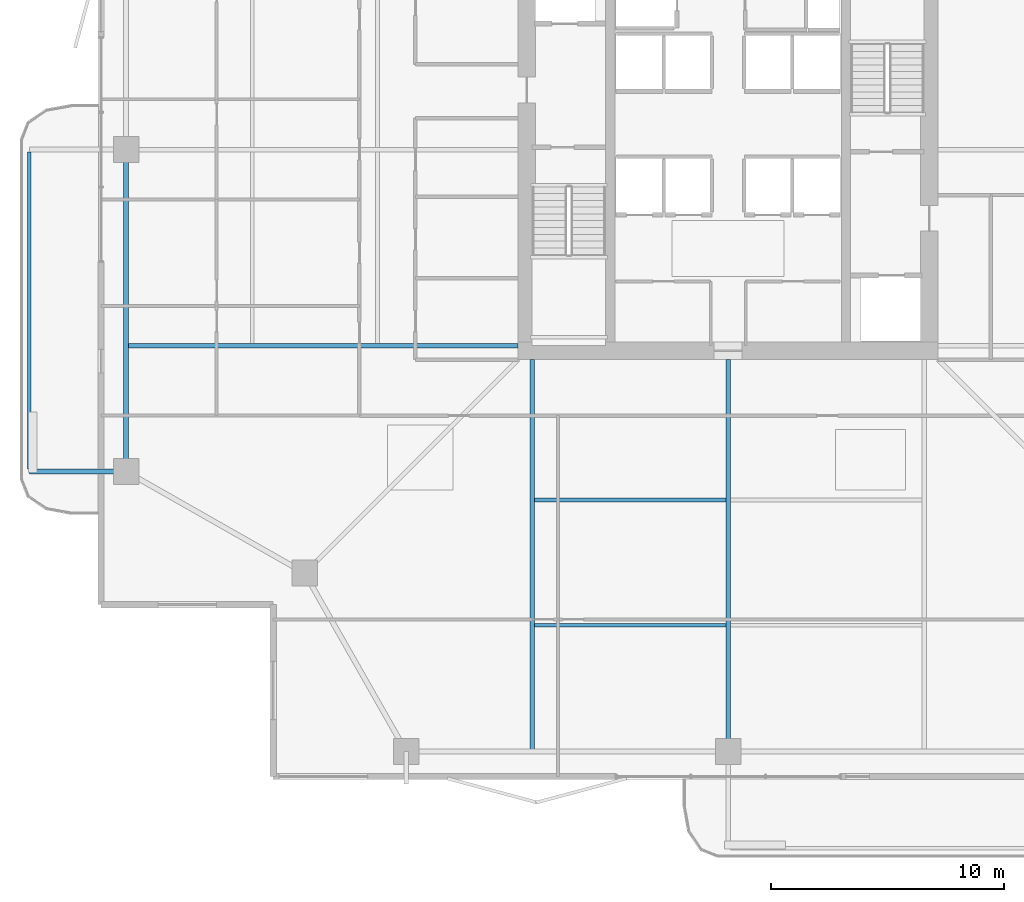
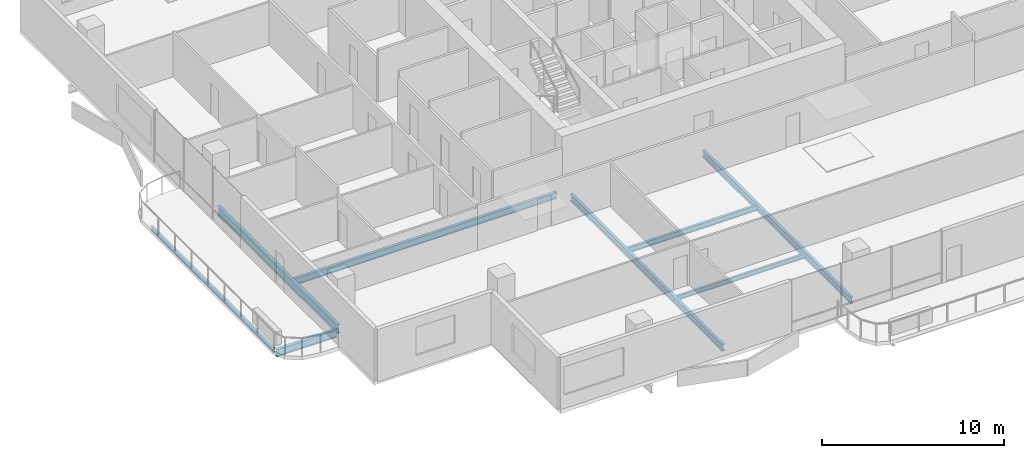
# One storey, part 3 of 24: 8 beams.
"""IFC4 building model written with IfcOpenShell, lengths in metres."""

from ifc_helpers import new_model, si_unit, direction, frame, origin, origin_2d, place, context, subcontext, project, spatial, i_section, extrude, material, material_profile, profile_set, type_object, element, save


model = new_model("IFC4")

# Units and contexts
model_context = context("Model", 3, precision=1e-05, world=origin(), true_north=direction((0.0, 1.0)))
body_context = subcontext(model_context, "Body", "Model", "MODEL_VIEW")
ifc_project = project(units=[si_unit("LENGTHUNIT", "METRE"), si_unit("AREAUNIT", "SQUARE_METRE"), si_unit("VOLUMEUNIT", "CUBIC_METRE"), si_unit("PLANEANGLEUNIT", "RADIAN"), si_unit("MASSUNIT", "GRAM", prefix="KILO")], contexts=[model_context])

# Site, building, storey
site_placement = place(None, origin())
site = spatial("IfcSite", under=ifc_project, at=site_placement, CompositionType="ELEMENT")
building_placement = place(site_placement, origin())
building = spatial("IfcBuilding", under=site, at=building_placement, Name="Belovzor Exchange Tower", CompositionType="ELEMENT")
storey_placement = place(building_placement, frame((0.0, 0.0, 214.949951171875)))
storey = spatial("IfcBuildingStorey", under=building, at=storey_placement, Name="L53", CompositionType="ELEMENT", Elevation=214.949951171875)

# Beams
ifc_material_1 = material(Name="Steel S355", Category="steel")
ifc_material_profile_1 = material_profile(ifc_material_1, i_section(OverallWidth=0.199951171875, OverallDepth=0.5, WebThickness=0.01025390625, FlangeThickness=0.01611328125, at=origin_2d()))
ifc_profile_set_1 = profile_set([ifc_material_profile_1], Name="Steel S355")
beam_type_1 = type_object("IfcBeamType", Name="Planted Balcony Cantilever Beam IPE 500", PredefinedType="BEAM", material=ifc_profile_set_1)
beam_1_placement = place(storey_placement, frame((2.697021484375, 15.0, -0.5), z_axis=(-1.0, 0.0, 0.0), x_axis=(0.0, -1.0, 0.0)))
element("IfcBeam", 1, at=beam_1_placement, inside=storey, type_object=beam_type_1, Name="BC-500 Planted Balcony Cantilever Beam IPE 500", PredefinedType="BEAM", context=body_context, shape_type="SweptSolid", body=[
    extrude(i_section(OverallWidth=0.199951171875, OverallDepth=0.5, WebThickness=0.01025390625, FlangeThickness=0.01611328125, at=origin_2d()), origin(), (0.0, 0.0, 1.0), 3.85009765625),
])
ifc_material_2 = material(Name="Steel S355", Category="steel")
ifc_material_profile_2 = material_profile(ifc_material_2, i_section(OverallWidth=0.14990234375, OverallDepth=0.300048828125, WebThickness=0.007080078125, FlangeThickness=0.0107421875, at=origin_2d()))
ifc_profile_set_2 = profile_set([ifc_material_profile_2], Name="Steel S355")
beam_type_2 = type_object("IfcBeamType", Name="Planted Balcony Fascia Edge Beam IPE 300", PredefinedType="BEAM", material=ifc_profile_set_2)
beam_2_placement = place(storey_placement, frame((-1.153076171875, 28.699951171875, -0.39990234375), z_axis=(0.0, -1.0, 0.0), x_axis=(1.0, 0.0, 0.0)))
element("IfcBeam", 2, at=beam_2_placement, inside=storey, type_object=beam_type_2, Name="BC-300 Planted Balcony Fascia Edge Beam IPE 300", PredefinedType="BEAM", context=body_context, shape_type="SweptSolid", body=[
    extrude(i_section(OverallWidth=0.14990234375, OverallDepth=0.300048828125, WebThickness=0.007080078125, FlangeThickness=0.0107421875, at=origin_2d()), origin(), (0.0, 0.0, 1.0), 13.599853515625),
])
ifc_material_3 = material(Name="Steel S355", Category="steel")
ifc_material_profile_3 = material_profile(ifc_material_3, i_section(OverallWidth=0.169921875, OverallDepth=0.360107421875, WebThickness=0.008056640625, FlangeThickness=0.0126953125, at=origin_2d()))
ifc_profile_set_3 = profile_set([ifc_material_profile_3], Name="Steel S355")
beam_type_3 = type_object("IfcBeamType", Name="Secondary Infill Floor Joist IPE 360", PredefinedType="BEAM", material=ifc_profile_set_3)
beam_3_placement = place(storey_placement, frame((20.4951171875, 13.77197265625, -0.429931640625), z_axis=(1.0, 0.0, 0.0), x_axis=(0.0, 1.0, 0.0)))
element("IfcBeam", 3, at=beam_3_placement, inside=storey, type_object=beam_type_3, Name="FJ-360 Secondary Infill Floor Joist IPE 360", PredefinedType="BEAM", context=body_context, shape_type="SweptSolid", body=[
    extrude(i_section(OverallWidth=0.169921875, OverallDepth=0.360107421875, WebThickness=0.008056640625, FlangeThickness=0.0126953125, at=origin_2d()), origin(), (0.0, 0.0, 1.0), 8.2099609375),
])
ifc_material_4 = material(Name="Steel S355", Category="steel")
ifc_material_profile_4 = material_profile(ifc_material_4, i_section(OverallWidth=0.14990234375, OverallDepth=0.300048828125, WebThickness=0.007080078125, FlangeThickness=0.0107421875, at=origin_2d()))
ifc_profile_set_4 = profile_set([ifc_material_profile_4], Name="Steel S355")
beam_type_4 = type_object("IfcBeamType", Name="Secondary Trim Floor Joist IPE 300", PredefinedType="BEAM", material=ifc_profile_set_4)
beam_4_placement = place(storey_placement, frame((20.4951171875, 8.4130859375, -0.39990234375), z_axis=(1.0, 0.0, 0.0), x_axis=(0.0, 1.0, 0.0)))
element("IfcBeam", 4, at=beam_4_placement, inside=storey, type_object=beam_type_4, Name="FJ-300 Secondary Trim Floor Joist IPE 300", PredefinedType="BEAM", context=body_context, shape_type="SweptSolid", body=[
    extrude(i_section(OverallWidth=0.14990234375, OverallDepth=0.300048828125, WebThickness=0.007080078125, FlangeThickness=0.0107421875, at=origin_2d()), origin(), (0.0, 0.0, 1.0), 8.2099609375),
])
ifc_material_5 = material(Name="Steel S355", Category="steel")
ifc_material_profile_5 = material_profile(ifc_material_5, i_section(OverallWidth=0.18994140625, OverallDepth=0.449951171875, WebThickness=0.009521484375, FlangeThickness=0.0146484375, at=origin_2d()))
ifc_profile_set_5 = profile_set([ifc_material_profile_5], Name="Steel S355")
beam_type_5 = type_object("IfcBeamType", Name="Zone 2-4 Radial Composite Floor Beam IPE 450", PredefinedType="BEAM", material=ifc_profile_set_5)
beam_5_placement = place(storey_placement, frame((20.39990234375, 19.800048828125, -0.474853515625), z_axis=(0.0, -1.0, 0.0), x_axis=(1.0, 0.0, 0.0)))
element("IfcBeam", 5, at=beam_5_placement, inside=storey, type_object=beam_type_5, Name="FB-450 Zone 2-4 Radial Composite Floor Beam IPE 450", PredefinedType="BEAM", context=body_context, shape_type="SweptSolid", body=[
    extrude(i_section(OverallWidth=0.18994140625, OverallDepth=0.449951171875, WebThickness=0.009521484375, FlangeThickness=0.0146484375, at=origin_2d()), origin(), (0.0, 0.0, 1.0), 16.7451171875),
])
beam_6_placement = place(storey_placement, frame((28.800048828125, 19.800048828125, -0.474853515625), z_axis=(0.0, -1.0, 0.0), x_axis=(1.0, 0.0, 0.0)))
element("IfcBeam", 6, at=beam_6_placement, inside=storey, type_object=beam_type_5, Name="FB-450 Zone 2-4 Radial Composite Floor Beam IPE 450", PredefinedType="BEAM", context=body_context, shape_type="SweptSolid", body=[
    extrude(i_section(OverallWidth=0.18994140625, OverallDepth=0.449951171875, WebThickness=0.009521484375, FlangeThickness=0.0146484375, at=origin_2d()), origin(), (0.0, 0.0, 1.0), 16.316162109375),
])
beam_7_placement = place(storey_placement, frame((19.800048828125, 20.39990234375, -0.474853515625), z_axis=(-1.0, 0.0, 0.0), x_axis=(0.0, -1.0, 0.0)))
element("IfcBeam", 7, at=beam_7_placement, inside=storey, type_object=beam_type_5, Name="FB-450 Zone 2-4 Radial Composite Floor Beam IPE 450", PredefinedType="BEAM", context=body_context, shape_type="SweptSolid", body=[
    extrude(i_section(OverallWidth=0.18994140625, OverallDepth=0.449951171875, WebThickness=0.009521484375, FlangeThickness=0.0146484375, at=origin_2d()), origin(), (0.0, 0.0, 1.0), 16.7451171875),
])
ifc_material_6 = material(Name="Steel S355", Category="steel")
ifc_material_profile_6 = material_profile(ifc_material_6, i_section(OverallWidth=0.219970703125, OverallDepth=0.60009765625, WebThickness=0.011962890625, FlangeThickness=0.01904296875, at=origin_2d()))
ifc_profile_set_6 = profile_set([ifc_material_profile_6], Name="Steel S355")
beam_type_6 = type_object("IfcBeamType", Name="Zone 4 Flare Primary Girder IPE 600", PredefinedType="BEAM", material=ifc_profile_set_6)
beam_8_placement = place(storey_placement, frame((3.0, 28.498046875, -0.550048828125), z_axis=(0.0, -1.0, 0.0), x_axis=(1.0, 0.0, 0.0)))
element("IfcBeam", 8, at=beam_8_placement, inside=storey, type_object=beam_type_6, Name="FG-Z4 Zone 4 Flare Primary Girder IPE 600", PredefinedType="BEAM", context=body_context, shape_type="SweptSolid", body=[
    extrude(i_section(OverallWidth=0.219970703125, OverallDepth=0.60009765625, WebThickness=0.011962890625, FlangeThickness=0.01904296875, at=origin_2d()), origin(), (0.0, 0.0, 1.0), 13.195068359375),
])

save(model, "model.ifc")
